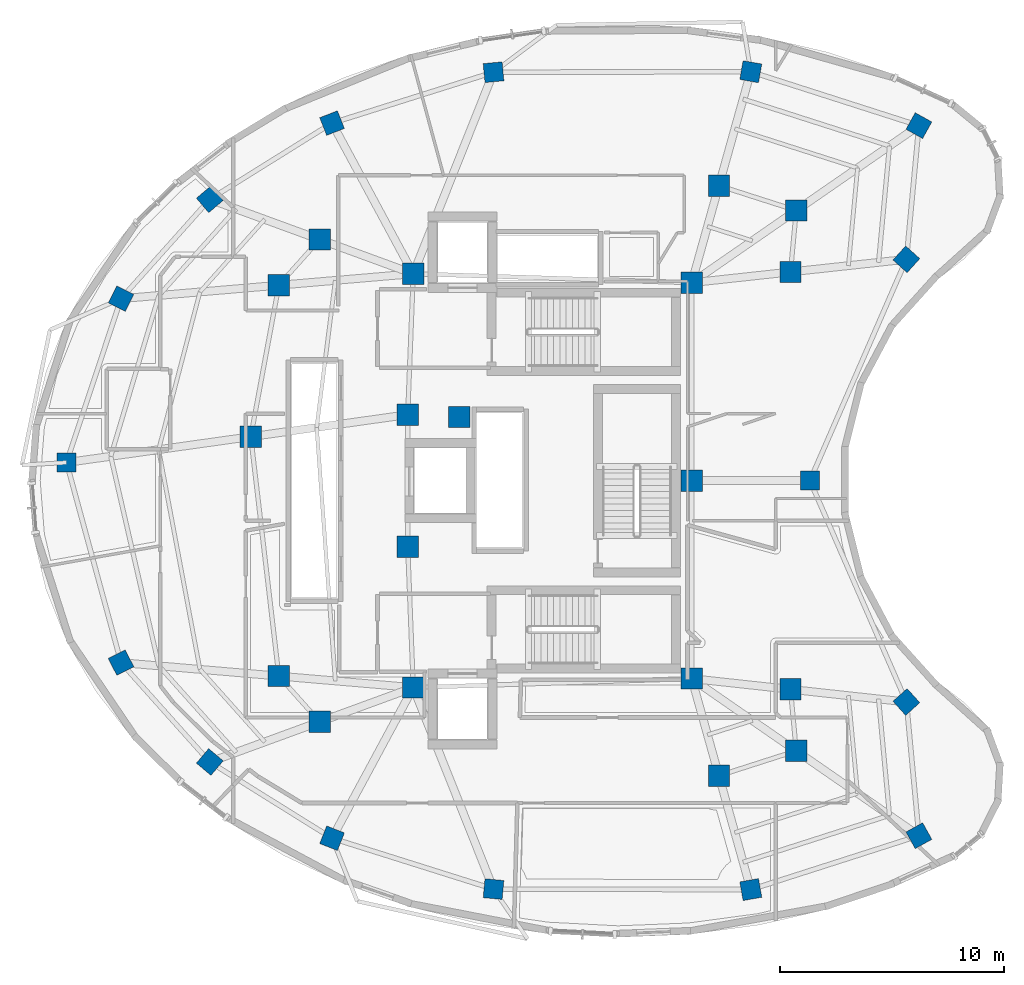
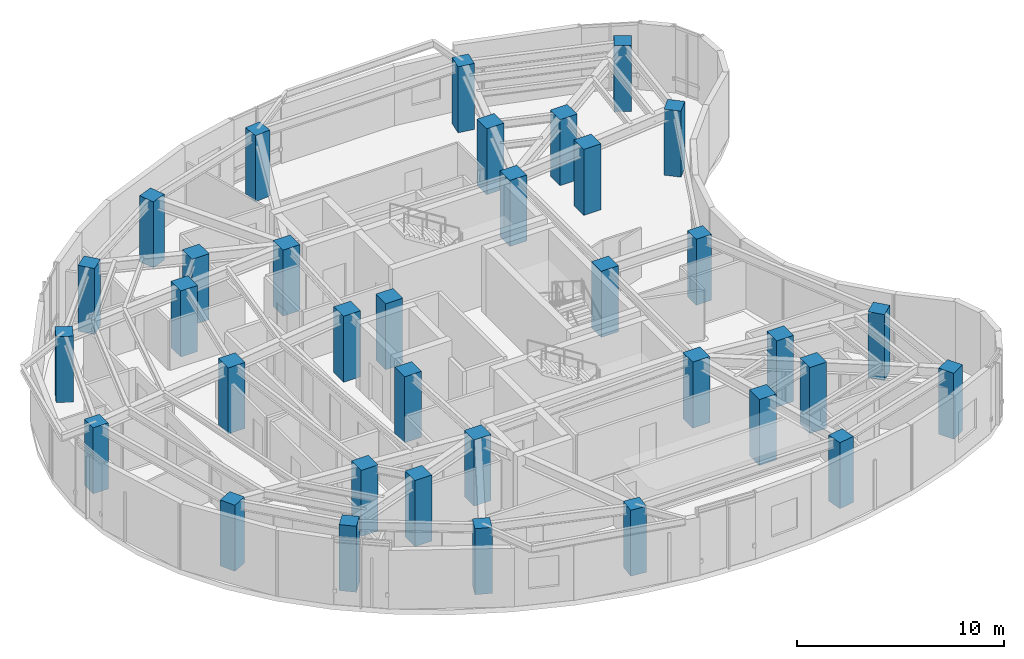
# One storey, part 1 of 13: 35 columns.
"""IFC4 building model written with IfcOpenShell, lengths in metres."""

from ifc_helpers import new_model, si_unit, direction, frame, origin, origin_2d, place, context, subcontext, project, spatial, rectangle, extrude, material, material_profile, profile_set, type_object, element, save


model = new_model("IFC4")

# Units and contexts
model_context = context("Model", 3, precision=1e-05, world=origin(), true_north=direction((0.0, 1.0)))
body_context = subcontext(model_context, "Body", "Model", "MODEL_VIEW")
ifc_project = project(units=[si_unit("LENGTHUNIT", "METRE"), si_unit("AREAUNIT", "SQUARE_METRE"), si_unit("VOLUMEUNIT", "CUBIC_METRE"), si_unit("PLANEANGLEUNIT", "RADIAN"), si_unit("MASSUNIT", "GRAM", prefix="KILO")], contexts=[model_context])

# Site, building, storey
site_placement = place(None, origin())
site = spatial("IfcSite", under=ifc_project, at=site_placement, CompositionType="ELEMENT")
building_placement = place(site_placement, origin())
building = spatial("IfcBuilding", under=site, at=building_placement, Name="Korentha Bioscience Tower", CompositionType="ELEMENT")
storey_placement = place(building_placement, frame((0.0, 0.0, 260.39990234375)))
storey = spatial("IfcBuildingStorey", under=building, at=storey_placement, Name="L60", CompositionType="ELEMENT", Elevation=260.39990234375)

# Columns
ifc_material_1 = material(Name="Concrete C65", Category="concrete")
ifc_material_profile_1 = material_profile(ifc_material_1, rectangle(XDim=0.949951171875, YDim=0.949951171875, at=origin_2d()), Name="Concrete C65")
ifc_profile_set_1 = profile_set([ifc_material_profile_1], Name="Concrete C65 (COL-CP09)")
column_type_1 = type_object("IfcColumnType", Name="Core Pilaster Column RC 950x950", PredefinedType="PILASTER", material=ifc_profile_set_1)
for number, where, z_axis, x_axis, name in (
    (1, (37.550048828125, 35.85009765625, -0.00048828125), (0.0, 0.0, 1.0), (1.0, 0.0, 0.0), "L60 Core Pilaster CP-01"),
    (2, (25.10009765625, 36.25, -0.00048828125), (0.0, 0.0, 1.0), (1.0, 0.0, 0.0), "L60 Core Pilaster CP-02"),
    (3, (24.85009765625, 29.949951171875, -0.00048828125), (0.0, 0.0, 1.0), (1.0, 0.0, 0.0), "L60 Core Pilaster CP-03"),
    (4, (27.14990234375, 29.85009765625, -0.00048828125), (0.0, 0.0, 1.0), (1.0, 0.0, 0.0), "L60 Core Pilaster CP-04"),
    (5, (24.85009765625, 24.050048828125, -0.00048828125), (0.0, 0.0, 1.0), (1.0, 0.0, 0.0), "L60 Core Pilaster CP-05"),
    (6, (25.10009765625, 17.75, -0.00048828125), (0.0, 0.0, 1.0), (1.0, 0.0, 0.0), "L60 Core Pilaster CP-06"),
    (7, (37.550048828125, 18.14990234375, -0.00048828125), (0.0, 0.0, 1.0), (1.0, 0.0, 0.0), "L60 Core Pilaster CP-07"),
    (8, (37.550048828125, 27.0, -0.00048828125), (0.0, 0.0, 1.0), (1.0, 0.0, 0.0), "L60 Core Pilaster CP-08"),
):
    element("IfcColumn", number, at=place(storey_placement, frame(where, z_axis=z_axis, x_axis=x_axis)), inside=storey, type_object=column_type_1, Name=name, PredefinedType="PILASTER", context=body_context, shape_type="SweptSolid", body=[
        extrude(rectangle(XDim=0.949951171875, YDim=0.949951171875, at=origin_2d()), origin(), (0.0, 0.0, 1.0), 3.901123046875),
    ])
ifc_material_profile_2 = material_profile(ifc_material_1, rectangle(XDim=0.949951171875, YDim=0.949951171875, at=origin_2d()), Name="Concrete C65")
ifc_profile_set_2 = profile_set([ifc_material_profile_2], Name="Concrete C65 (COL-MR09)")
column_type_2 = type_object("IfcColumnType", Name="Mid-Ring Lab Column RC 950x950", PredefinedType="COLUMN", material=ifc_profile_set_2)
for number, where, z_axis, x_axis, name in (
    (9, (42.2216796875, 39.08056640625, -0.00048828125), (0.0, 0.0, 1.0), (1.0, 0.0, 0.0), "L60 Mid-Ring Column 01"),
    (10, (38.76416015625, 40.18896484375, -0.00048828125), (0.0, 0.0, 1.0), (1.0, 0.0, 0.0), "L60 Mid-Ring Column 02"),
    (11, (20.915283203125, 37.78125, -0.00048828125), (0.0, 0.0, 1.0), (1.0, 0.0, 0.0), "L60 Mid-Ring Column 05"),
    (12, (19.08984375, 35.737548828125, -0.00048828125), (0.0, 0.0, 1.0), (1.0, 0.0, 0.0), "L60 Mid-Ring Column 06"),
    (13, (17.833740234375, 28.9658203125, -0.00048828125), (0.0, 0.0, 1.0), (1.0, 0.0, 0.0), "L60 Mid-Ring Column 07"),
    (14, (19.08984375, 18.262451171875, -0.00048828125), (0.0, 0.0, 1.0), (1.0, 0.0, 0.0), "L60 Mid-Ring Column 08"),
    (15, (20.915283203125, 16.21875, -0.00048828125), (0.0, 0.0, 1.0), (1.0, 0.0, 0.0), "L60 Mid-Ring Column 09"),
    (16, (38.76416015625, 13.81103515625, -0.00048828125), (0.0, 0.0, 1.0), (1.0, 0.0, 0.0), "L60 Mid-Ring Column 12"),
    (17, (42.2216796875, 14.91943359375, -0.00048828125), (0.0, 0.0, 1.0), (1.0, 0.0, 0.0), "L60 Mid-Ring Column 13"),
    (18, (41.9638671875, 17.669189453125, -0.00048828125), (0.0, 0.0, 1.0), (1.0, 0.0, 0.0), "L60 Mid-Ring Column 14"),
    (19, (41.9638671875, 36.330810546875, -0.00048828125), (0.0, 0.0, 1.0), (1.0, 0.0, 0.0), "L60 Mid-Ring Column 16"),
):
    element("IfcColumn", number, at=place(storey_placement, frame(where, z_axis=z_axis, x_axis=x_axis)), inside=storey, type_object=column_type_2, Name=name, PredefinedType="COLUMN", context=body_context, shape_type="SweptSolid", body=[
        extrude(rectangle(XDim=0.949951171875, YDim=0.949951171875, at=origin_2d()), origin(), (0.0, 0.0, 1.0), 3.901123046875),
    ])
ifc_material_2 = material(Name="Concrete C50", Category="concrete")
ifc_material_profile_3 = material_profile(ifc_material_2, rectangle(XDim=0.85009765625, YDim=0.85009765625, at=origin_2d()), Name="Concrete C50")
ifc_profile_set_3 = profile_set([ifc_material_profile_3], Name="Concrete C50 (COL-P08)")
column_type_3 = type_object("IfcColumnType", Name="Perimeter Column RC 850x850", PredefinedType="COLUMN", material=ifc_profile_set_3)
for number, where, z_axis, x_axis, name in (
    (20, (47.7060546875, 42.873046875, -0.00048828125), (0.0, 0.0, 1.0), (-0.874535078577, 0.484962262797, 0.0), "L60 Perimeter Column 01"),
    (21, (40.189453125, 45.2822265625, -0.00048828125), (0.0, 0.0, 1.0), (-0.984868307662, 0.173304404339, 0.0), "L60 Perimeter Column 02"),
    (22, (28.68798828125, 45.2607421875, -0.00048828125), (0.0, 0.0, 1.0), (0.995462868748, 0.095150811579, 0.0), "L60 Perimeter Column 03"),
    (23, (21.468505859375, 42.986328125, -0.00048828125), (0.0, 0.0, 1.0), (0.930225540858, 0.366988341962, 0.0), "L60 Perimeter Column 04"),
    (24, (16.002685546875, 39.57861328125, -0.00048828125), (0.0, 0.0, 1.0), (0.764246456939, 0.644924300253, 0.0), "L60 Perimeter Column 05"),
    (25, (12.034423828125, 35.135986328125, -0.00048828125), (0.0, 0.0, 1.0), (0.453057191132, 0.891481453292, 0.0), "L60 Perimeter Column 06"),
    (26, (9.597412109375, 27.810302734375, -0.00048828125), (0.0, 0.0, 1.0), (0.0, 1.0, 0.0), "L60 Perimeter Column 07"),
    (27, (12.034423828125, 18.864013671875, -0.00048828125), (0.0, 0.0, 1.0), (-0.453057191132, 0.891481453292, 0.0), "L60 Perimeter Column 08"),
    (28, (16.002685546875, 14.42138671875, -0.00048828125), (0.0, 0.0, 1.0), (-0.764246456939, 0.644924300253, 0.0), "L60 Perimeter Column 09"),
    (29, (21.468505859375, 11.013671875, -0.00048828125), (0.0, 0.0, 1.0), (-0.930225540858, 0.366988341962, 0.0), "L60 Perimeter Column 10"),
    (30, (28.68798828125, 8.7392578125, -0.00048828125), (0.0, 0.0, 1.0), (-0.995462868748, 0.095150811579, 0.0), "L60 Perimeter Column 11"),
    (31, (40.189453125, 8.7177734375, -0.00048828125), (0.0, 0.0, 1.0), (0.984868307662, 0.173304404339, 0.0), "L60 Perimeter Column 12"),
    (32, (47.7060546875, 11.126953125, -0.00048828125), (0.0, 0.0, 1.0), (0.874535078577, 0.484962262797, 0.0), "L60 Perimeter Column 13"),
    (33, (47.1455078125, 17.1044921875, -0.00048828125), (0.0, 0.0, 1.0), (-0.669130606359, 0.743144825477, 0.0), "L60 Perimeter Column 14"),
    (34, (42.833984375, 27.0, -0.00048828125), (0.0, 0.0, 1.0), (0.0, 1.0, 0.0), "L60 Perimeter Column 15"),
    (35, (47.1455078125, 36.8955078125, -0.00048828125), (0.0, 0.0, 1.0), (0.669130606359, 0.743144825477, 0.0), "L60 Perimeter Column 16"),
):
    element("IfcColumn", number, at=place(storey_placement, frame(where, z_axis=z_axis, x_axis=x_axis)), inside=storey, type_object=column_type_3, Name=name, PredefinedType="COLUMN", context=body_context, shape_type="SweptSolid", body=[
        extrude(rectangle(XDim=0.85009765625, YDim=0.85009765625, at=origin_2d()), origin(), (0.0, 0.0, 1.0), 3.901123046875),
    ])

save(model, "model.ifc")
